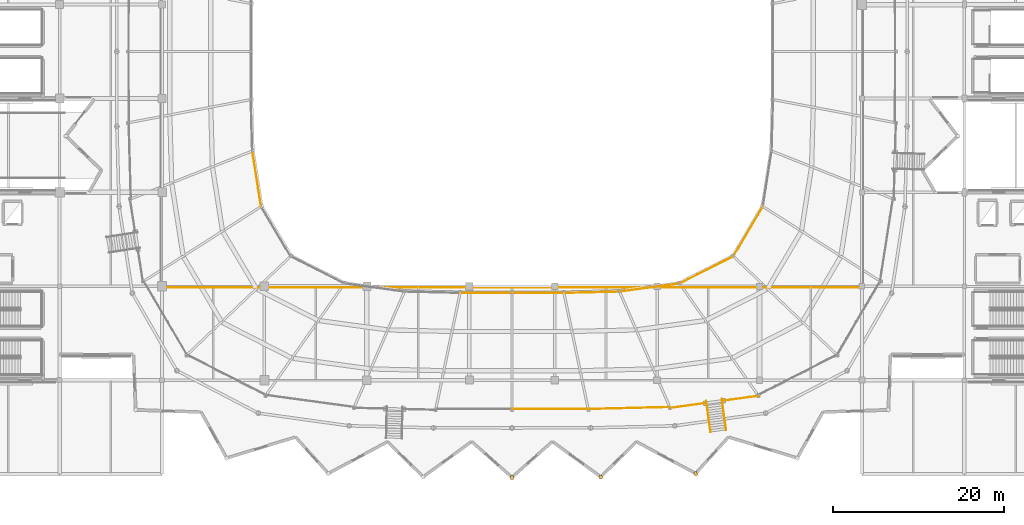
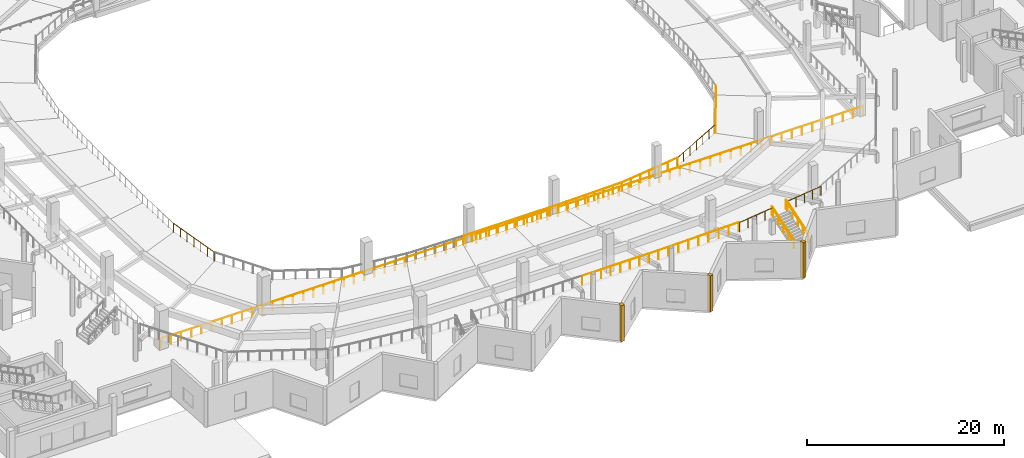
# One storey, part 68 of 77: 16 railings, 3 coverings.
"""IFC4 building model written with IfcOpenShell, lengths in metres."""

import ifcopenshell
import ifcopenshell.guid

model = None  # the IFC model being written
_history = None  # IfcOwnerHistory: only IFC2X3 demands one
_inside = {}  # id of a spatial element -> (the spatial element, [elements in it])
_under = {}  # id of a project, library or spatial element -> (it, [spatial elements below it])
_declared = {}  # id of a project -> (the project, [libraries it declares])
_typed = {}  # id of a type object -> (the type object, [elements of that type])
_made_of = {}  # id of a material, layer set ... -> (it, [elements and type objects made of it])


def new_model(schema):
    """Start an empty IFC model of exactly this schema.

    Asked for "IFC4X3", IfcOpenShell would pick the latest addendum, in which some entities
    have other attributes; the version numbers below select the first issue.
    IFC2X3 requires an IfcOwnerHistory on every rooted entity: one is made here for all.
    """
    global model, _history
    if schema == "IFC4X3":
        model = ifcopenshell.file(schema_version=(4, 3, 0, 0))
    else:
        model = ifcopenshell.file(schema=schema)
    _inside.clear()
    _under.clear()
    _declared.clear()
    _typed.clear()
    _made_of.clear()
    _history = None
    if model.schema == "IFC2X3":
        org = make("IfcOrganization", Name="unknown")
        user = make(
            "IfcPersonAndOrganization",
            ThePerson=make("IfcPerson", FamilyName="unknown"),
            TheOrganization=org,
        )
        app = make(
            "IfcApplication",
            ApplicationDeveloper=org,
            Version="unknown",
            ApplicationFullName="unknown",
            ApplicationIdentifier="unknown",
        )
        _history = make(
            "IfcOwnerHistory",
            OwningUser=user,
            OwningApplication=app,
            ChangeAction="ADDED",
            CreationDate=0,
        )
    return model


def make(cls, **values):
    """One entity of the class cls with the attributes given. An attribute that is None is left unset."""
    return model.create_entity(
        cls, **{name: value for name, value in values.items() if value is not None}
    )


def rooted(cls, **values):
    """An entity with a GlobalId (a new one), such as an element, a storey or a relation."""
    return make(cls, GlobalId=ifcopenshell.guid.new(), OwnerHistory=_history, **values)


def si_unit(unit_type, name, prefix=None):
    """IfcSIUnit, for example si_unit("LENGTHUNIT", "METRE", prefix="MILLI")."""
    return make("IfcSIUnit", UnitType=unit_type, Prefix=prefix, Name=name)


def assignment(units):
    """IfcUnitAssignment: the units of a project."""
    return None if units is None else make("IfcUnitAssignment", Units=units)


def point(xyz):
    """IfcCartesianPoint."""
    return None if xyz is None else make("IfcCartesianPoint", Coordinates=xyz)


def direction(xyz):
    """IfcDirection."""
    return None if xyz is None else make("IfcDirection", DirectionRatios=xyz)


def frame(location, z_axis=None, x_axis=None):
    """IfcAxis2Placement3D, a coordinate frame: its origin and axes. An axis left out is left unset."""
    return make(
        "IfcAxis2Placement3D",
        Location=point(location),
        Axis=direction(z_axis),
        RefDirection=direction(x_axis),
    )


def frame_2d(location, x_axis=None):
    """IfcAxis2Placement2D, a coordinate frame in the plane: its origin and x axis."""
    return make(
        "IfcAxis2Placement2D", Location=point(location), RefDirection=direction(x_axis)
    )


def origin():
    """The frame at (0, 0, 0) with its axes left unset."""
    return frame((0.0, 0.0, 0.0))


def origin_2d():
    """The frame at (0, 0) in the plane with its x axis left unset."""
    return frame_2d((0.0, 0.0))


def place(relative_to, where):
    """IfcLocalPlacement: puts the frame where relative to a parent placement (None: the world)."""
    return make(
        "IfcLocalPlacement", PlacementRelTo=relative_to, RelativePlacement=where
    )


def context(
    kind, dimensions, precision=None, world=None, true_north=None, identifier=None
):
    """IfcGeometricRepresentationContext, for example the 3D "Model" context."""
    return make(
        "IfcGeometricRepresentationContext",
        ContextIdentifier=identifier,
        ContextType=kind,
        CoordinateSpaceDimension=dimensions,
        Precision=precision,
        WorldCoordinateSystem=world,
        TrueNorth=true_north,
    )


def subcontext(parent, identifier, kind, view, scale=None):
    """IfcGeometricRepresentationSubContext, for example "Body" below "Model"."""
    return make(
        "IfcGeometricRepresentationSubContext",
        ContextIdentifier=identifier,
        ContextType=kind,
        ParentContext=parent,
        TargetScale=scale,
        TargetView=view,
    )


def project(units=None, contexts=None):
    """IfcProject with its units and contexts."""
    return rooted(
        "IfcProject",
        Name="project",
        RepresentationContexts=contexts,
        UnitsInContext=assignment(units),
    )


def spatial(cls, under=None, at=None, **own):
    """A site, building, storey or space (cls), placed at a placement, below another one or the project."""
    s = rooted(cls, ObjectPlacement=at, **own)
    if under is not None:
        _under.setdefault(under.id(), (under, []))[1].append(s)
    return s


def profile(cls, at=None, kind="AREA", **sizes):
    """A parametric profile (cls). Its sizes go by their IFC names, for example OverallWidth=200.0."""
    return make(cls, ProfileType=kind, Position=at, **sizes)


def rectangle(**sizes):
    """IfcRectangleProfileDef."""
    return profile("IfcRectangleProfileDef", **sizes)


def circle(**sizes):
    """IfcCircleProfileDef."""
    return profile("IfcCircleProfileDef", **sizes)


def extrude(swept, where, along, depth):
    """IfcExtrudedAreaSolid: the profile swept, set in the frame where, extruded along a direction by depth."""
    return make(
        "IfcExtrudedAreaSolid",
        SweptArea=swept,
        Position=where,
        ExtrudedDirection=direction(along),
        Depth=depth,
    )


def shape(context_of_items, identifier, shape_type, items):
    """IfcShapeRepresentation: the items that make up one representation, for example the "Body"."""
    return make(
        "IfcShapeRepresentation",
        ContextOfItems=context_of_items,
        RepresentationIdentifier=identifier,
        RepresentationType=shape_type,
        Items=items,
    )


def material(Name=None, Category=None):
    """IfcMaterial."""
    return make("IfcMaterial", Name=Name, Category=Category)


def layer(
    of_material, thickness, ventilated=None, Name=None, Category=None, Priority=None
):
    """IfcMaterialLayer: one layer of a wall or slab, of a material (None: an air gap)."""
    return make(
        "IfcMaterialLayer",
        Material=of_material,
        LayerThickness=thickness,
        IsVentilated=ventilated,
        Name=Name,
        Category=Category,
        Priority=Priority,
    )


def layer_set(layers, Name=None):
    """IfcMaterialLayerSet."""
    return make("IfcMaterialLayerSet", MaterialLayers=layers, LayerSetName=Name)


def made_of(thing, what):
    """Note that an element or type object is made of a material, layer set ...; save() writes the relation."""
    if what is not None:
        _made_of.setdefault(what.id(), (what, []))[1].append(thing)
    return thing


def type_object(cls, material=None, **own):
    """A type object (cls), such as IfcWallType, which elements share."""
    return made_of(rooted(cls, **own), material)


def element(
    cls,
    number,
    at=None,
    inside=None,
    cuts=None,
    type_object=None,
    material=None,
    context=None,
    identifier="Body",
    shape_type=None,
    held_by="IfcProductDefinitionShape",
    body=None,
    shapes=None,
    **own,
):
    """One element of the class cls, such as IfcWall. Its Tag is "e" and its number.

    at: its placement. inside: the storey or other place that contains it. cuts: it is an
    opening in that element (IfcRelVoidsElement). A single representation is given by context,
    identifier, shape_type and body (its items); several are given by shapes. held_by: the class
    of the entity that holds the representations. save() writes the other relations.
    """
    e = rooted(cls, Tag="e%d" % number, ObjectPlacement=at, **own)
    if body is not None:
        shapes = [shape(context, identifier, shape_type, body)]
    if shapes is not None:
        e.Representation = make(held_by, Representations=shapes)
    if inside is not None:
        _inside.setdefault(inside.id(), (inside, []))[1].append(e)
    if cuts is not None:
        rooted(
            "IfcRelVoidsElement", RelatingBuildingElement=cuts, RelatedOpeningElement=e
        )
    if type_object is not None:
        _typed.setdefault(type_object.id(), (type_object, []))[1].append(e)
    return made_of(e, material)


def aggregate(whole, parts):
    """IfcRelAggregates: a whole, such as a stair, and the parts it consists of."""
    return rooted("IfcRelAggregates", RelatingObject=whole, RelatedObjects=parts)


def save(model, path):
    """Write the relations noted so far, then the file.

    IfcRelAggregates (storeys below a building ...), IfcRelContainedInSpatialStructure (elements
    in a storey), IfcRelDefinesByType, IfcRelAssociatesMaterial and IfcRelDeclares: one each for
    every whole, place, type object, material and project.
    """
    for whole, parts in _under.values():
        aggregate(whole, parts)
    for where, things in _inside.values():
        rooted(
            "IfcRelContainedInSpatialStructure",
            RelatedElements=things,
            RelatingStructure=where,
        )
    for kind, things in _typed.values():
        rooted("IfcRelDefinesByType", RelatedObjects=things, RelatingType=kind)
    for what, things in _made_of.values():
        rooted("IfcRelAssociatesMaterial", RelatedObjects=things, RelatingMaterial=what)
    for by, libraries in _declared.values():
        rooted("IfcRelDeclares", RelatingContext=by, RelatedDefinitions=libraries)
    model.write(path)


model = new_model("IFC4")

# Units and contexts
model_context = context("Model", 3, precision=1e-05, world=origin(), true_north=direction((0.0, 1.0)))
body_context = subcontext(model_context, "Body", "Model", "MODEL_VIEW")
ifc_project = project(units=[si_unit("LENGTHUNIT", "METRE"), si_unit("AREAUNIT", "SQUARE_METRE"), si_unit("VOLUMEUNIT", "CUBIC_METRE"), si_unit("PLANEANGLEUNIT", "RADIAN"), si_unit("MASSUNIT", "GRAM", prefix="KILO")], contexts=[model_context])

# Site, building, storey
site_placement = place(None, origin())
site = spatial("IfcSite", under=ifc_project, at=site_placement, CompositionType="ELEMENT")
building_placement = place(site_placement, origin())
building = spatial("IfcBuilding", under=site, at=building_placement, Name="Luwafu Chhajja Arena", CompositionType="ELEMENT")
storey_placement = place(building_placement, frame((0.0, 0.0, 14.699951171875)))
storey = spatial("IfcBuildingStorey", under=building, at=storey_placement, Name="L03", CompositionType="ELEMENT", Elevation=14.699951171875)

# Railings
ifc_material_1 = material(Name="Stainless steel balustrade", Category="steel")
railing_type_1 = type_object("IfcRailingType", Name="Atrium Void Glazed Balustrade 1150", PredefinedType="BALUSTRADE", material=ifc_material_1)
railing_1_placement = place(storey_placement, frame((124.082763671875, 5.1748046875, 0.0)))
element("IfcRailing", 1, at=railing_1_placement, inside=storey, type_object=railing_type_1, Name="L03 Vomitory VM-15 Guard L", PredefinedType="BALUSTRADE", context=body_context, shape_type="SweptSolid", body=[
    extrude(circle(Radius=0.02392578125, at=origin_2d()), frame((0.0, 0.0, 1.1259765625), z_axis=(-0.116323302151, 0.852670018924, 0.509335575241), x_axis=(-0.990822369828, -0.135170379332, 0.0)), (0.0, 0.0, 1.0), 3.985595703125),
    extrude(circle(Radius=0.02392578125, at=origin_2d()), frame((-0.463623046875, 3.3984375, 3.15576171875), z_axis=(-0.134851560167, 0.990865811662, 0.0), x_axis=(-0.990865811662, -0.134851560167, 0.0)), (0.0, 0.0, 1.0), 0.249755859375),
    extrude(circle(Radius=0.02099609375, at=origin_2d()), origin(), (0.0, 0.0, 1.0), 1.101806640625),
    extrude(circle(Radius=0.02099609375, at=origin_2d()), frame((-0.115966796875, 0.849609375, 0.507568359375)), (0.0, 0.0, 1.0), 1.101806640625),
    extrude(circle(Radius=0.02099609375, at=origin_2d()), frame((-0.23193359375, 1.69921875, 1.01513671875)), (0.0, 0.0, 1.0), 1.101806640625),
    extrude(circle(Radius=0.02099609375, at=origin_2d()), frame((-0.34765625, 2.548828125, 1.5224609375)), (0.0, 0.0, 1.0), 1.101806640625),
    extrude(circle(Radius=0.02099609375, at=origin_2d()), frame((-0.463623046875, 3.3984375, 2.030029296875)), (0.0, 0.0, 1.0), 1.101806640625),
    extrude(circle(Radius=0.02099609375, at=origin_2d()), frame((-0.497314453125, 3.64599609375, 2.030029296875)), (0.0, 0.0, 1.0), 1.101806640625),
])
railing_2_placement = place(storey_placement, frame((122.259521484375, 4.926025390625, 0.0)))
element("IfcRailing", 2, at=railing_2_placement, inside=storey, type_object=railing_type_1, Name="L03 Vomitory VM-15 Guard R", PredefinedType="BALUSTRADE", context=body_context, shape_type="SweptSolid", body=[
    extrude(circle(Radius=0.02392578125, at=origin_2d()), frame((0.0, 0.0, 1.1259765625), z_axis=(-0.116317226804, 0.852686737409, 0.509308973605), x_axis=(-0.990823670218, -0.135160846904, 0.0)), (0.0, 0.0, 1.0), 3.98583984375),
    extrude(circle(Radius=0.02392578125, at=origin_2d()), frame((-0.463623046875, 3.398681640625, 3.15576171875), z_axis=(-0.134851560167, 0.990865811662, 0.0), x_axis=(-0.990865811662, -0.134851560167, 0.0)), (0.0, 0.0, 1.0), 0.249755859375),
    extrude(circle(Radius=0.02099609375, at=origin_2d()), origin(), (0.0, 0.0, 1.0), 1.101806640625),
    extrude(circle(Radius=0.02099609375, at=origin_2d()), frame((-0.115966796875, 0.849609375, 0.507568359375)), (0.0, 0.0, 1.0), 1.101806640625),
    extrude(circle(Radius=0.02099609375, at=origin_2d()), frame((-0.23193359375, 1.69921875, 1.01513671875)), (0.0, 0.0, 1.0), 1.101806640625),
    extrude(circle(Radius=0.02099609375, at=origin_2d()), frame((-0.34765625, 2.549072265625, 1.5224609375)), (0.0, 0.0, 1.0), 1.101806640625),
    extrude(circle(Radius=0.02099609375, at=origin_2d()), frame((-0.463623046875, 3.398681640625, 2.030029296875)), (0.0, 0.0, 1.0), 1.101806640625),
    extrude(circle(Radius=0.02099609375, at=origin_2d()), frame((-0.497314453125, 3.646240234375, 2.030029296875)), (0.0, 0.0, 1.0), 1.101806640625),
])
railing_3_placement = place(storey_placement, frame((127.883544921875, 9.154541015625, 2.030029296875)))
element("IfcRailing", 3, at=railing_3_placement, inside=storey, type_object=railing_type_1, Name="L03 Vomitory VM-15 Wing Guard L", PredefinedType="BALUSTRADE", context=body_context, shape_type="SweptSolid", body=[
    extrude(circle(Radius=0.02392578125, at=origin_2d()), frame((0.0, 0.0, 1.1259765625), z_axis=(-0.990836725486, -0.135065108111, 0.0), x_axis=(0.135065108111, -0.990836725486, 0.0)), (0.0, 0.0, 1.0), 4.303955078125),
    extrude(circle(Radius=0.02099609375, at=origin_2d()), origin(), (0.0, 0.0, 1.0), 1.101806640625),
    extrude(circle(Radius=0.02099609375, at=origin_2d()), frame((-1.066162109375, -0.145263671875, 0.0)), (0.0, 0.0, 1.0), 1.101806640625),
    extrude(circle(Radius=0.02099609375, at=origin_2d()), frame((-2.13232421875, -0.29052734375, 0.0)), (0.0, 0.0, 1.0), 1.101806640625),
    extrude(circle(Radius=0.02099609375, at=origin_2d()), frame((-3.1982421875, -0.43603515625, 0.0)), (0.0, 0.0, 1.0), 1.101806640625),
    extrude(circle(Radius=0.02099609375, at=origin_2d()), frame((-4.264404296875, -0.581298828125, 0.0)), (0.0, 0.0, 1.0), 1.101806640625),
])
railing_4_placement = place(storey_placement, frame((121.7958984375, 8.32470703125, 2.030029296875)))
element("IfcRailing", 4, at=railing_4_placement, inside=storey, type_object=railing_type_1, Name="L03 Vomitory VM-15 Wing Guard R", PredefinedType="BALUSTRADE", context=body_context, shape_type="SweptSolid", body=[
    extrude(circle(Radius=0.02392578125, at=origin_2d()), frame((0.0, 0.0, 1.1259765625), z_axis=(-0.990828096688, -0.135128393811, 0.0), x_axis=(0.135128393811, -0.990828096688, 0.0)), (0.0, 0.0, 1.0), 4.3037109375),
    extrude(circle(Radius=0.02099609375, at=origin_2d()), origin(), (0.0, 0.0, 1.0), 1.101806640625),
    extrude(circle(Radius=0.02099609375, at=origin_2d()), frame((-1.06591796875, -0.1455078125, 0.0)), (0.0, 0.0, 1.0), 1.101806640625),
    extrude(circle(Radius=0.02099609375, at=origin_2d()), frame((-2.132080078125, -0.290771484375, 0.0)), (0.0, 0.0, 1.0), 1.101806640625),
    extrude(circle(Radius=0.02099609375, at=origin_2d()), frame((-3.1982421875, -0.43603515625, 0.0)), (0.0, 0.0, 1.0), 1.101806640625),
    extrude(circle(Radius=0.02099609375, at=origin_2d()), frame((-4.26416015625, -0.58154296875, 0.0)), (0.0, 0.0, 1.0), 1.101806640625),
])

# Coverings
ifc_material_2 = material(Name="Red laterite sandstone cladding", Category="masonry")
ifc_layer = layer(ifc_material_2, 0.074951171875, Name="Red laterite sandstone cladding")
ifc_layer_set = layer_set([ifc_layer], Name="Red laterite sandstone cladding")
covering_type = type_object("IfcCoveringType", Name="Dressed Red-Laterite Sandstone Cladding", PredefinedType="CLADDING", material=ifc_layer_set)
for number, where, z_axis, x_axis, name in (
    (5, (99.0, -0.39990234375, 0.0), (0.0, 0.0, 1.0), (0.0, -1.0, 0.0), "L03 Pleated Bowl Sandstone Ridge Fin 25"),
    (6, (109.412109375, -0.3427734375, 0.0), (0.0, 0.0, 1.0), (0.20448508974, -0.9788696788, 0.0), "L03 Pleated Bowl Sandstone Ridge Fin 26"),
    (7, (120.510986328125, 0.051025390625, 0.0), (0.0, 0.0, 1.0), (0.398902881432, -0.916993179465, 0.0), "L03 Pleated Bowl Sandstone Ridge Fin 27"),
):
    element("IfcCovering", number, at=place(storey_placement, frame(where, z_axis=z_axis, x_axis=x_axis)), inside=storey, type_object=covering_type, Name=name, PredefinedType="CLADDING", context=body_context, shape_type="SweptSolid", body=[
        extrude(rectangle(XDim=0.4599609375, YDim=0.360107421875, at=origin_2d()), origin(), (0.0, 0.0, 1.0), 4.455078125),
    ])

# Railings
railing_type_2 = type_object("IfcRailingType", Name="Seating Bowl Sightline Barrier 1100", PredefinedType="BALUSTRADE", material=ifc_material_1)
railing_5_placement = place(storey_placement, frame((57.85009765625, 21.85009765625, 0.0)))
element("IfcRailing", 8, at=railing_5_placement, inside=storey, type_object=railing_type_2, Name="L03 Bowl Rim Guard 0036", PredefinedType="BALUSTRADE", context=body_context, shape_type="SweptSolid", body=[
    extrude(circle(Radius=0.02392578125, at=origin_2d()), frame((0.0, 0.0, 1.09619140625), z_axis=(1.0, 0.0, 0.0), x_axis=(0.0, 1.0, 0.0)), (0.0, 0.0, 1.0), 82.2998046875),
    extrude(circle(Radius=0.02099609375, at=origin_2d()), origin(), (0.0, 0.0, 1.0), 1.072021484375),
    extrude(circle(Radius=0.02099609375, at=origin_2d()), frame((1.19287109375, 0.0, 0.0)), (0.0, 0.0, 1.0), 1.072021484375),
    extrude(circle(Radius=0.02099609375, at=origin_2d()), frame((2.385498046875, 0.0, 0.0)), (0.0, 0.0, 1.0), 1.072021484375),
    extrude(circle(Radius=0.02099609375, at=origin_2d()), frame((3.578369140625, 0.0, 0.0)), (0.0, 0.0, 1.0), 1.072021484375),
    extrude(circle(Radius=0.02099609375, at=origin_2d()), frame((4.77099609375, 0.0, 0.0)), (0.0, 0.0, 1.0), 1.072021484375),
    extrude(circle(Radius=0.02099609375, at=origin_2d()), frame((5.9638671875, 0.0, 0.0)), (0.0, 0.0, 1.0), 1.072021484375),
    extrude(circle(Radius=0.02099609375, at=origin_2d()), frame((7.156494140625, 0.0, 0.0)), (0.0, 0.0, 1.0), 1.072021484375),
    extrude(circle(Radius=0.02099609375, at=origin_2d()), frame((8.349365234375, 0.0, 0.0)), (0.0, 0.0, 1.0), 1.072021484375),
    extrude(circle(Radius=0.02099609375, at=origin_2d()), frame((9.5419921875, 0.0, 0.0)), (0.0, 0.0, 1.0), 1.072021484375),
    extrude(circle(Radius=0.02099609375, at=origin_2d()), frame((10.73486328125, 0.0, 0.0)), (0.0, 0.0, 1.0), 1.072021484375),
    extrude(circle(Radius=0.02099609375, at=origin_2d()), frame((11.927490234375, 0.0, 0.0)), (0.0, 0.0, 1.0), 1.072021484375),
    extrude(circle(Radius=0.02099609375, at=origin_2d()), frame((13.120361328125, 0.0, 0.0)), (0.0, 0.0, 1.0), 1.072021484375),
    extrude(circle(Radius=0.02099609375, at=origin_2d()), frame((14.31298828125, 0.0, 0.0)), (0.0, 0.0, 1.0), 1.072021484375),
    extrude(circle(Radius=0.02099609375, at=origin_2d()), frame((15.505859375, 0.0, 0.0)), (0.0, 0.0, 1.0), 1.072021484375),
    extrude(circle(Radius=0.02099609375, at=origin_2d()), frame((16.698486328125, 0.0, 0.0)), (0.0, 0.0, 1.0), 1.072021484375),
    extrude(circle(Radius=0.02099609375, at=origin_2d()), frame((17.891357421875, 0.0, 0.0)), (0.0, 0.0, 1.0), 1.072021484375),
    extrude(circle(Radius=0.02099609375, at=origin_2d()), frame((19.083984375, 0.0, 0.0)), (0.0, 0.0, 1.0), 1.072021484375),
    extrude(circle(Radius=0.02099609375, at=origin_2d()), frame((20.27685546875, 0.0, 0.0)), (0.0, 0.0, 1.0), 1.072021484375),
    extrude(circle(Radius=0.02099609375, at=origin_2d()), frame((21.469482421875, 0.0, 0.0)), (0.0, 0.0, 1.0), 1.072021484375),
    extrude(circle(Radius=0.02099609375, at=origin_2d()), frame((22.662353515625, 0.0, 0.0)), (0.0, 0.0, 1.0), 1.072021484375),
    extrude(circle(Radius=0.02099609375, at=origin_2d()), frame((23.85498046875, 0.0, 0.0)), (0.0, 0.0, 1.0), 1.072021484375),
    extrude(circle(Radius=0.02099609375, at=origin_2d()), frame((25.0478515625, 0.0, 0.0)), (0.0, 0.0, 1.0), 1.072021484375),
    extrude(circle(Radius=0.02099609375, at=origin_2d()), frame((26.240478515625, 0.0, 0.0)), (0.0, 0.0, 1.0), 1.072021484375),
    extrude(circle(Radius=0.02099609375, at=origin_2d()), frame((27.433349609375, 0.0, 0.0)), (0.0, 0.0, 1.0), 1.072021484375),
    extrude(circle(Radius=0.02099609375, at=origin_2d()), frame((28.6259765625, 0.0, 0.0)), (0.0, 0.0, 1.0), 1.072021484375),
    extrude(circle(Radius=0.02099609375, at=origin_2d()), frame((29.81884765625, 0.0, 0.0)), (0.0, 0.0, 1.0), 1.072021484375),
    extrude(circle(Radius=0.02099609375, at=origin_2d()), frame((31.011474609375, 0.0, 0.0)), (0.0, 0.0, 1.0), 1.072021484375),
    extrude(circle(Radius=0.02099609375, at=origin_2d()), frame((32.204345703125, 0.0, 0.0)), (0.0, 0.0, 1.0), 1.072021484375),
    extrude(circle(Radius=0.02099609375, at=origin_2d()), frame((33.39697265625, 0.0, 0.0)), (0.0, 0.0, 1.0), 1.072021484375),
    extrude(circle(Radius=0.02099609375, at=origin_2d()), frame((34.58984375, 0.0, 0.0)), (0.0, 0.0, 1.0), 1.072021484375),
    extrude(circle(Radius=0.02099609375, at=origin_2d()), frame((35.782470703125, 0.0, 0.0)), (0.0, 0.0, 1.0), 1.072021484375),
    extrude(circle(Radius=0.02099609375, at=origin_2d()), frame((36.975341796875, 0.0, 0.0)), (0.0, 0.0, 1.0), 1.072021484375),
    extrude(circle(Radius=0.02099609375, at=origin_2d()), frame((38.16796875, 0.0, 0.0)), (0.0, 0.0, 1.0), 1.072021484375),
    extrude(circle(Radius=0.02099609375, at=origin_2d()), frame((39.36083984375, 0.0, 0.0)), (0.0, 0.0, 1.0), 1.072021484375),
    extrude(circle(Radius=0.02099609375, at=origin_2d()), frame((40.553466796875, 0.0, 0.0)), (0.0, 0.0, 1.0), 1.072021484375),
    extrude(circle(Radius=0.02099609375, at=origin_2d()), frame((41.746337890625, 0.0, 0.0)), (0.0, 0.0, 1.0), 1.072021484375),
    extrude(circle(Radius=0.02099609375, at=origin_2d()), frame((42.93896484375, 0.0, 0.0)), (0.0, 0.0, 1.0), 1.072021484375),
    extrude(circle(Radius=0.02099609375, at=origin_2d()), frame((44.1318359375, 0.0, 0.0)), (0.0, 0.0, 1.0), 1.072021484375),
    extrude(circle(Radius=0.02099609375, at=origin_2d()), frame((45.324462890625, 0.0, 0.0)), (0.0, 0.0, 1.0), 1.072021484375),
    extrude(circle(Radius=0.02099609375, at=origin_2d()), frame((46.517333984375, 0.0, 0.0)), (0.0, 0.0, 1.0), 1.072021484375),
    extrude(circle(Radius=0.02099609375, at=origin_2d()), frame((47.7099609375, 0.0, 0.0)), (0.0, 0.0, 1.0), 1.072021484375),
    extrude(circle(Radius=0.02099609375, at=origin_2d()), frame((48.90283203125, 0.0, 0.0)), (0.0, 0.0, 1.0), 1.072021484375),
    extrude(circle(Radius=0.02099609375, at=origin_2d()), frame((50.095458984375, 0.0, 0.0)), (0.0, 0.0, 1.0), 1.072021484375),
    extrude(circle(Radius=0.02099609375, at=origin_2d()), frame((51.288330078125, 0.0, 0.0)), (0.0, 0.0, 1.0), 1.072021484375),
    extrude(circle(Radius=0.02099609375, at=origin_2d()), frame((52.48095703125, 0.0, 0.0)), (0.0, 0.0, 1.0), 1.072021484375),
    extrude(circle(Radius=0.02099609375, at=origin_2d()), frame((53.673828125, 0.0, 0.0)), (0.0, 0.0, 1.0), 1.072021484375),
    extrude(circle(Radius=0.02099609375, at=origin_2d()), frame((54.866455078125, 0.0, 0.0)), (0.0, 0.0, 1.0), 1.072021484375),
    extrude(circle(Radius=0.02099609375, at=origin_2d()), frame((56.059326171875, 0.0, 0.0)), (0.0, 0.0, 1.0), 1.072021484375),
    extrude(circle(Radius=0.02099609375, at=origin_2d()), frame((57.251953125, 0.0, 0.0)), (0.0, 0.0, 1.0), 1.072021484375),
    extrude(circle(Radius=0.02099609375, at=origin_2d()), frame((58.44482421875, 0.0, 0.0)), (0.0, 0.0, 1.0), 1.072021484375),
    extrude(circle(Radius=0.02099609375, at=origin_2d()), frame((59.637451171875, 0.0, 0.0)), (0.0, 0.0, 1.0), 1.072021484375),
    extrude(circle(Radius=0.02099609375, at=origin_2d()), frame((60.830322265625, 0.0, 0.0)), (0.0, 0.0, 1.0), 1.072021484375),
    extrude(circle(Radius=0.02099609375, at=origin_2d()), frame((62.02294921875, 0.0, 0.0)), (0.0, 0.0, 1.0), 1.072021484375),
    extrude(circle(Radius=0.02099609375, at=origin_2d()), frame((63.2158203125, 0.0, 0.0)), (0.0, 0.0, 1.0), 1.072021484375),
    extrude(circle(Radius=0.02099609375, at=origin_2d()), frame((64.408447265625, 0.0, 0.0)), (0.0, 0.0, 1.0), 1.072021484375),
    extrude(circle(Radius=0.02099609375, at=origin_2d()), frame((65.601318359375, 0.0, 0.0)), (0.0, 0.0, 1.0), 1.072021484375),
    extrude(circle(Radius=0.02099609375, at=origin_2d()), frame((66.7939453125, 0.0, 0.0)), (0.0, 0.0, 1.0), 1.072021484375),
    extrude(circle(Radius=0.02099609375, at=origin_2d()), frame((67.98681640625, 0.0, 0.0)), (0.0, 0.0, 1.0), 1.072021484375),
    extrude(circle(Radius=0.02099609375, at=origin_2d()), frame((69.179443359375, 0.0, 0.0)), (0.0, 0.0, 1.0), 1.072021484375),
    extrude(circle(Radius=0.02099609375, at=origin_2d()), frame((70.372314453125, 0.0, 0.0)), (0.0, 0.0, 1.0), 1.072021484375),
    extrude(circle(Radius=0.02099609375, at=origin_2d()), frame((71.56494140625, 0.0, 0.0)), (0.0, 0.0, 1.0), 1.072021484375),
    extrude(circle(Radius=0.02099609375, at=origin_2d()), frame((72.7578125, 0.0, 0.0)), (0.0, 0.0, 1.0), 1.072021484375),
    extrude(circle(Radius=0.02099609375, at=origin_2d()), frame((73.950439453125, 0.0, 0.0)), (0.0, 0.0, 1.0), 1.072021484375),
    extrude(circle(Radius=0.02099609375, at=origin_2d()), frame((75.143310546875, 0.0, 0.0)), (0.0, 0.0, 1.0), 1.072021484375),
    extrude(circle(Radius=0.02099609375, at=origin_2d()), frame((76.3359375, 0.0, 0.0)), (0.0, 0.0, 1.0), 1.072021484375),
    extrude(circle(Radius=0.02099609375, at=origin_2d()), frame((77.52880859375, 0.0, 0.0)), (0.0, 0.0, 1.0), 1.072021484375),
    extrude(circle(Radius=0.02099609375, at=origin_2d()), frame((78.721435546875, 0.0, 0.0)), (0.0, 0.0, 1.0), 1.072021484375),
    extrude(circle(Radius=0.02099609375, at=origin_2d()), frame((79.914306640625, 0.0, 0.0)), (0.0, 0.0, 1.0), 1.072021484375),
    extrude(circle(Radius=0.02099609375, at=origin_2d()), frame((81.10693359375, 0.0, 0.0)), (0.0, 0.0, 1.0), 1.072021484375),
    extrude(circle(Radius=0.02099609375, at=origin_2d()), frame((82.2998046875, 0.0, 0.0)), (0.0, 0.0, 1.0), 1.072021484375),
])
railing_6_placement = place(storey_placement, frame((68.5771484375, 37.845703125, 0.830078125)))
element("IfcRailing", 9, at=railing_6_placement, inside=storey, type_object=railing_type_2, Name="L03 Upper Tier Front Barrier 0113", PredefinedType="BALUSTRADE", context=body_context, shape_type="SweptSolid", body=[
    extrude(circle(Radius=0.02392578125, at=origin_2d()), frame((0.0, 0.0, 1.09619140625), z_axis=(0.156019637452, -0.987753953538, 0.0), x_axis=(0.987753953538, 0.156019637452, 0.0)), (0.0, 0.0, 1.0), 6.591064453125),
    extrude(circle(Radius=0.02099609375, at=origin_2d()), origin(), (0.0, 0.0, 1.0), 1.072021484375),
    extrude(circle(Radius=0.02099609375, at=origin_2d()), frame((0.17138671875, -1.0849609375, 0.0)), (0.0, 0.0, 1.0), 1.072021484375),
    extrude(circle(Radius=0.02099609375, at=origin_2d()), frame((0.3427734375, -2.170166015625, 0.0)), (0.0, 0.0, 1.0), 1.072021484375),
    extrude(circle(Radius=0.02099609375, at=origin_2d()), frame((0.51416015625, -3.255126953125, 0.0)), (0.0, 0.0, 1.0), 1.072021484375),
    extrude(circle(Radius=0.02099609375, at=origin_2d()), frame((0.685546875, -4.340087890625, 0.0)), (0.0, 0.0, 1.0), 1.072021484375),
    extrude(circle(Radius=0.02099609375, at=origin_2d()), frame((0.85693359375, -5.42529296875, 0.0)), (0.0, 0.0, 1.0), 1.072021484375),
    extrude(circle(Radius=0.02099609375, at=origin_2d()), frame((1.0283203125, -6.51025390625, 0.0)), (0.0, 0.0, 1.0), 1.072021484375),
])
railing_7_placement = place(storey_placement, frame((92.914794921875, 21.20751953125, 0.830078125)))
element("IfcRailing", 10, at=railing_7_placement, inside=storey, type_object=railing_type_2, Name="L03 Upper Tier Front Barrier 0129", PredefinedType="BALUSTRADE", context=body_context, shape_type="SweptSolid", body=[
    extrude(circle(Radius=0.02392578125, at=origin_2d()), frame((0.0, 0.0, 1.09619140625), z_axis=(0.999999226567, -0.001243730232, 0.0), x_axis=(0.001243730232, 0.999999226567, 0.0)), (0.0, 0.0, 1.0), 6.085205078125),
    extrude(circle(Radius=0.02099609375, at=origin_2d()), origin(), (0.0, 0.0, 1.0), 1.072021484375),
    extrude(circle(Radius=0.02099609375, at=origin_2d()), frame((1.01416015625, -0.001220703125, 0.0)), (0.0, 0.0, 1.0), 1.072021484375),
    extrude(circle(Radius=0.02099609375, at=origin_2d()), frame((2.0283203125, -0.00244140625, 0.0)), (0.0, 0.0, 1.0), 1.072021484375),
    extrude(circle(Radius=0.02099609375, at=origin_2d()), frame((3.04248046875, -0.00390625, 0.0)), (0.0, 0.0, 1.0), 1.072021484375),
    extrude(circle(Radius=0.02099609375, at=origin_2d()), frame((4.056884765625, -0.005126953125, 0.0)), (0.0, 0.0, 1.0), 1.072021484375),
    extrude(circle(Radius=0.02099609375, at=origin_2d()), frame((5.071044921875, -0.00634765625, 0.0)), (0.0, 0.0, 1.0), 1.072021484375),
    extrude(circle(Radius=0.02099609375, at=origin_2d()), frame((6.085205078125, -0.007568359375, 0.0)), (0.0, 0.0, 1.0), 1.072021484375),
])
railing_8_placement = place(storey_placement, frame((99.0, 21.199951171875, 0.830078125)))
element("IfcRailing", 11, at=railing_8_placement, inside=storey, type_object=railing_type_2, Name="L03 Upper Tier Front Barrier 0133", PredefinedType="BALUSTRADE", context=body_context, shape_type="SweptSolid", body=[
    extrude(circle(Radius=0.02392578125, at=origin_2d()), frame((0.0, 0.0, 1.09619140625), z_axis=(0.999999226567, 0.001243730232, 0.0), x_axis=(-0.001243730232, 0.999999226567, 0.0)), (0.0, 0.0, 1.0), 6.085205078125),
    extrude(circle(Radius=0.02099609375, at=origin_2d()), origin(), (0.0, 0.0, 1.0), 1.072021484375),
    extrude(circle(Radius=0.02099609375, at=origin_2d()), frame((1.01416015625, 0.001220703125, 0.0)), (0.0, 0.0, 1.0), 1.072021484375),
    extrude(circle(Radius=0.02099609375, at=origin_2d()), frame((2.0283203125, 0.00244140625, 0.0)), (0.0, 0.0, 1.0), 1.072021484375),
    extrude(circle(Radius=0.02099609375, at=origin_2d()), frame((3.04248046875, 0.00390625, 0.0)), (0.0, 0.0, 1.0), 1.072021484375),
    extrude(circle(Radius=0.02099609375, at=origin_2d()), frame((4.056884765625, 0.005126953125, 0.0)), (0.0, 0.0, 1.0), 1.072021484375),
    extrude(circle(Radius=0.02099609375, at=origin_2d()), frame((5.071044921875, 0.00634765625, 0.0)), (0.0, 0.0, 1.0), 1.072021484375),
    extrude(circle(Radius=0.02099609375, at=origin_2d()), frame((6.085205078125, 0.007568359375, 0.0)), (0.0, 0.0, 1.0), 1.072021484375),
])
railing_9_placement = place(storey_placement, frame((99.0, 7.60009765625, 2.030029296875)))
element("IfcRailing", 12, at=railing_9_placement, inside=storey, type_object=railing_type_2, Name="L03 Upper Tier Rear Barrier 0135", PredefinedType="BALUSTRADE", context=body_context, shape_type="SweptSolid", body=[
    extrude(circle(Radius=0.02392578125, at=origin_2d()), frame((0.0, 0.0, 1.09619140625), z_axis=(0.99999920898, 0.001257791852, 0.0), x_axis=(-0.001257791852, 0.99999920898, 0.0)), (0.0, 0.0, 1.0), 8.9287109375),
    extrude(circle(Radius=0.02099609375, at=origin_2d()), origin(), (0.0, 0.0, 1.0), 1.072021484375),
    extrude(circle(Radius=0.02099609375, at=origin_2d()), frame((1.1162109375, 0.00146484375, 0.0)), (0.0, 0.0, 1.0), 1.072021484375),
    extrude(circle(Radius=0.02099609375, at=origin_2d()), frame((2.232177734375, 0.0029296875, 0.0)), (0.0, 0.0, 1.0), 1.072021484375),
    extrude(circle(Radius=0.02099609375, at=origin_2d()), frame((3.34814453125, 0.004150390625, 0.0)), (0.0, 0.0, 1.0), 1.072021484375),
    extrude(circle(Radius=0.02099609375, at=origin_2d()), frame((4.46435546875, 0.005615234375, 0.0)), (0.0, 0.0, 1.0), 1.072021484375),
    extrude(circle(Radius=0.02099609375, at=origin_2d()), frame((5.58056640625, 0.007080078125, 0.0)), (0.0, 0.0, 1.0), 1.072021484375),
    extrude(circle(Radius=0.02099609375, at=origin_2d()), frame((6.696533203125, 0.00830078125, 0.0)), (0.0, 0.0, 1.0), 1.072021484375),
    extrude(circle(Radius=0.02099609375, at=origin_2d()), frame((7.8125, 0.009765625, 0.0)), (0.0, 0.0, 1.0), 1.072021484375),
    extrude(circle(Radius=0.02099609375, at=origin_2d()), frame((8.9287109375, 0.01123046875, 0.0)), (0.0, 0.0, 1.0), 1.072021484375),
])
railing_10_placement = place(storey_placement, frame((105.085205078125, 21.20751953125, 0.830078125)))
element("IfcRailing", 13, at=railing_10_placement, inside=storey, type_object=railing_type_2, Name="L03 Upper Tier Front Barrier 0137", PredefinedType="BALUSTRADE", context=body_context, shape_type="SweptSolid", body=[
    extrude(circle(Radius=0.02392578125, at=origin_2d()), frame((0.0, 0.0, 1.09619140625), z_axis=(0.999712648785, 0.023971229824, 0.0), x_axis=(-0.023971229824, 0.999712648785, 0.0)), (0.0, 0.0, 1.0), 6.518310546875),
    extrude(circle(Radius=0.02099609375, at=origin_2d()), origin(), (0.0, 0.0, 1.0), 1.072021484375),
    extrude(circle(Radius=0.02099609375, at=origin_2d()), frame((1.0859375, 0.026123046875, 0.0)), (0.0, 0.0, 1.0), 1.072021484375),
    extrude(circle(Radius=0.02099609375, at=origin_2d()), frame((2.172119140625, 0.052001953125, 0.0)), (0.0, 0.0, 1.0), 1.072021484375),
    extrude(circle(Radius=0.02099609375, at=origin_2d()), frame((3.25830078125, 0.078125, 0.0)), (0.0, 0.0, 1.0), 1.072021484375),
    extrude(circle(Radius=0.02099609375, at=origin_2d()), frame((4.34423828125, 0.104248046875, 0.0)), (0.0, 0.0, 1.0), 1.072021484375),
    extrude(circle(Radius=0.02099609375, at=origin_2d()), frame((5.43017578125, 0.130126953125, 0.0)), (0.0, 0.0, 1.0), 1.072021484375),
    extrude(circle(Radius=0.02099609375, at=origin_2d()), frame((6.516357421875, 0.15625, 0.0)), (0.0, 0.0, 1.0), 1.072021484375),
])
railing_11_placement = place(storey_placement, frame((107.9287109375, 7.611328125, 2.030029296875)))
element("IfcRailing", 14, at=railing_11_placement, inside=storey, type_object=railing_type_2, Name="L03 Upper Tier Rear Barrier 0139", PredefinedType="BALUSTRADE", context=body_context, shape_type="SweptSolid", body=[
    extrude(circle(Radius=0.02392578125, at=origin_2d()), frame((0.0, 0.0, 1.09619140625), z_axis=(0.999707797912, 0.024172686956, 0.0), x_axis=(-0.024172686956, 0.999707797912, 0.0)), (0.0, 0.0, 1.0), 9.564453125),
    extrude(circle(Radius=0.02099609375, at=origin_2d()), origin(), (0.0, 0.0, 1.0), 1.072021484375),
    extrude(circle(Radius=0.02099609375, at=origin_2d()), frame((1.1953125, 0.02880859375, 0.0)), (0.0, 0.0, 1.0), 1.072021484375),
    extrude(circle(Radius=0.02099609375, at=origin_2d()), frame((2.390380859375, 0.057861328125, 0.0)), (0.0, 0.0, 1.0), 1.072021484375),
    extrude(circle(Radius=0.02099609375, at=origin_2d()), frame((3.585693359375, 0.086669921875, 0.0)), (0.0, 0.0, 1.0), 1.072021484375),
    extrude(circle(Radius=0.02099609375, at=origin_2d()), frame((4.78076171875, 0.11572265625, 0.0)), (0.0, 0.0, 1.0), 1.072021484375),
    extrude(circle(Radius=0.02099609375, at=origin_2d()), frame((5.97607421875, 0.14453125, 0.0)), (0.0, 0.0, 1.0), 1.072021484375),
    extrude(circle(Radius=0.02099609375, at=origin_2d()), frame((7.17138671875, 0.17333984375, 0.0)), (0.0, 0.0, 1.0), 1.072021484375),
    extrude(circle(Radius=0.02099609375, at=origin_2d()), frame((8.366455078125, 0.202392578125, 0.0)), (0.0, 0.0, 1.0), 1.072021484375),
    extrude(circle(Radius=0.02099609375, at=origin_2d()), frame((9.561767578125, 0.231201171875, 0.0)), (0.0, 0.0, 1.0), 1.072021484375),
])
railing_12_placement = place(storey_placement, frame((111.6015625, 21.36376953125, 0.830078125)))
element("IfcRailing", 15, at=railing_12_placement, inside=storey, type_object=railing_type_2, Name="L03 Upper Tier Front Barrier 0141", PredefinedType="BALUSTRADE", context=body_context, shape_type="SweptSolid", body=[
    extrude(circle(Radius=0.02392578125, at=origin_2d()), frame((0.0, 0.0, 1.09619140625), z_axis=(0.990994032964, 0.13390603657, 0.0), x_axis=(-0.13390603657, 0.990994032964, 0.0)), (0.0, 0.0, 1.0), 7.103271484375),
    extrude(circle(Radius=0.02099609375, at=origin_2d()), origin(), (0.0, 0.0, 1.0), 1.072021484375),
    extrude(circle(Radius=0.02099609375, at=origin_2d()), frame((1.17333984375, 0.158447265625, 0.0)), (0.0, 0.0, 1.0), 1.072021484375),
    extrude(circle(Radius=0.02099609375, at=origin_2d()), frame((2.346435546875, 0.317138671875, 0.0)), (0.0, 0.0, 1.0), 1.072021484375),
    extrude(circle(Radius=0.02099609375, at=origin_2d()), frame((3.51953125, 0.4755859375, 0.0)), (0.0, 0.0, 1.0), 1.072021484375),
    extrude(circle(Radius=0.02099609375, at=origin_2d()), frame((4.69287109375, 0.634033203125, 0.0)), (0.0, 0.0, 1.0), 1.072021484375),
    extrude(circle(Radius=0.02099609375, at=origin_2d()), frame((5.8662109375, 0.792724609375, 0.0)), (0.0, 0.0, 1.0), 1.072021484375),
    extrude(circle(Radius=0.02099609375, at=origin_2d()), frame((7.039306640625, 0.951171875, 0.0)), (0.0, 0.0, 1.0), 1.072021484375),
])
railing_13_placement = place(storey_placement, frame((118.640869140625, 22.31494140625, 0.830078125)))
element("IfcRailing", 16, at=railing_13_placement, inside=storey, type_object=railing_type_2, Name="L03 Upper Tier Front Barrier 0143", PredefinedType="BALUSTRADE", context=body_context, shape_type="SweptSolid", body=[
    extrude(circle(Radius=0.02392578125, at=origin_2d()), frame((0.0, 0.0, 1.09619140625), z_axis=(0.892232594826, 0.451576125066, 0.0), x_axis=(-0.451576125066, 0.892232594826, 0.0)), (0.0, 0.0, 1.0), 7.065185546875),
    extrude(circle(Radius=0.02099609375, at=origin_2d()), origin(), (0.0, 0.0, 1.0), 1.072021484375),
    extrude(circle(Radius=0.02099609375, at=origin_2d()), frame((1.050537109375, 0.53173828125, 0.0)), (0.0, 0.0, 1.0), 1.072021484375),
    extrude(circle(Radius=0.02099609375, at=origin_2d()), frame((2.101318359375, 1.0634765625, 0.0)), (0.0, 0.0, 1.0), 1.072021484375),
    extrude(circle(Radius=0.02099609375, at=origin_2d()), frame((3.15185546875, 1.59521484375, 0.0)), (0.0, 0.0, 1.0), 1.072021484375),
    extrude(circle(Radius=0.02099609375, at=origin_2d()), frame((4.202392578125, 2.126953125, 0.0)), (0.0, 0.0, 1.0), 1.072021484375),
    extrude(circle(Radius=0.02099609375, at=origin_2d()), frame((5.253173828125, 2.65869140625, 0.0)), (0.0, 0.0, 1.0), 1.072021484375),
    extrude(circle(Radius=0.02099609375, at=origin_2d()), frame((6.3037109375, 3.1904296875, 0.0)), (0.0, 0.0, 1.0), 1.072021484375),
])
railing_14_placement = place(storey_placement, frame((124.944580078125, 25.50537109375, 0.830078125)))
element("IfcRailing", 17, at=railing_14_placement, inside=storey, type_object=railing_type_2, Name="L03 Upper Tier Front Barrier 0147", PredefinedType="BALUSTRADE", context=body_context, shape_type="SweptSolid", body=[
    extrude(circle(Radius=0.02392578125, at=origin_2d()), frame((0.0, 0.0, 1.09619140625), z_axis=(0.509265878508, 0.860609240589, 0.0), x_axis=(-0.860609240589, 0.509265878508, 0.0)), (0.0, 0.0, 1.0), 6.7744140625),
    extrude(circle(Radius=0.02099609375, at=origin_2d()), origin(), (0.0, 0.0, 1.0), 1.072021484375),
    extrude(circle(Radius=0.02099609375, at=origin_2d()), frame((0.574951171875, 0.9716796875, 0.0)), (0.0, 0.0, 1.0), 1.072021484375),
    extrude(circle(Radius=0.02099609375, at=origin_2d()), frame((1.14990234375, 1.943359375, 0.0)), (0.0, 0.0, 1.0), 1.072021484375),
    extrude(circle(Radius=0.02099609375, at=origin_2d()), frame((1.72509765625, 2.9150390625, 0.0)), (0.0, 0.0, 1.0), 1.072021484375),
    extrude(circle(Radius=0.02099609375, at=origin_2d()), frame((2.300048828125, 3.88671875, 0.0)), (0.0, 0.0, 1.0), 1.072021484375),
    extrude(circle(Radius=0.02099609375, at=origin_2d()), frame((2.875, 4.8583984375, 0.0)), (0.0, 0.0, 1.0), 1.072021484375),
    extrude(circle(Radius=0.02099609375, at=origin_2d()), frame((3.449951171875, 5.830078125, 0.0)), (0.0, 0.0, 1.0), 1.072021484375),
])
ifc_material_3 = material(Name="Stainless steel handrail", Category="steel")
railing_type_3 = type_object("IfcRailingType", Name="Stair Pitch Wall Handrail 920", PredefinedType="HANDRAIL", material=ifc_material_3)
railing_15_placement = place(storey_placement, frame((124.082763671875, 5.1748046875, 0.0)))
element("IfcRailing", 18, at=railing_15_placement, inside=storey, type_object=railing_type_3, Name="L03 Vomitory VM-15 Handrail L", PredefinedType="HANDRAIL", context=body_context, shape_type="SweptSolid", body=[
    extrude(circle(Radius=0.02392578125, at=origin_2d()), frame((0.0, 0.0, 0.89599609375), z_axis=(-0.116323302151, 0.852670018924, 0.509335575241), x_axis=(-0.990822369828, -0.135170379332, 0.0)), (0.0, 0.0, 1.0), 3.985595703125),
    extrude(circle(Radius=0.02099609375, at=origin_2d()), origin(), (0.0, 0.0, 1.0), 0.871826171875),
    extrude(circle(Radius=0.02099609375, at=origin_2d()), frame((-0.115966796875, 0.849609375, 0.507568359375)), (0.0, 0.0, 1.0), 0.871826171875),
    extrude(circle(Radius=0.02099609375, at=origin_2d()), frame((-0.23193359375, 1.69921875, 1.01513671875)), (0.0, 0.0, 1.0), 0.871826171875),
    extrude(circle(Radius=0.02099609375, at=origin_2d()), frame((-0.34765625, 2.548828125, 1.5224609375)), (0.0, 0.0, 1.0), 0.871826171875),
    extrude(circle(Radius=0.02099609375, at=origin_2d()), frame((-0.463623046875, 3.3984375, 2.030029296875)), (0.0, 0.0, 1.0), 0.871826171875),
])
railing_16_placement = place(storey_placement, frame((122.259521484375, 4.926025390625, 0.0)))
element("IfcRailing", 19, at=railing_16_placement, inside=storey, type_object=railing_type_3, Name="L03 Vomitory VM-15 Handrail R", PredefinedType="HANDRAIL", context=body_context, shape_type="SweptSolid", body=[
    extrude(circle(Radius=0.02392578125, at=origin_2d()), frame((0.0, 0.0, 0.89599609375), z_axis=(-0.116317226804, 0.852686737409, 0.509308973605), x_axis=(-0.990823670218, -0.135160846904, 0.0)), (0.0, 0.0, 1.0), 3.98583984375),
    extrude(circle(Radius=0.02099609375, at=origin_2d()), origin(), (0.0, 0.0, 1.0), 0.871826171875),
    extrude(circle(Radius=0.02099609375, at=origin_2d()), frame((-0.115966796875, 0.849609375, 0.507568359375)), (0.0, 0.0, 1.0), 0.871826171875),
    extrude(circle(Radius=0.02099609375, at=origin_2d()), frame((-0.23193359375, 1.69921875, 1.01513671875)), (0.0, 0.0, 1.0), 0.871826171875),
    extrude(circle(Radius=0.02099609375, at=origin_2d()), frame((-0.34765625, 2.549072265625, 1.5224609375)), (0.0, 0.0, 1.0), 0.871826171875),
    extrude(circle(Radius=0.02099609375, at=origin_2d()), frame((-0.463623046875, 3.398681640625, 2.030029296875)), (0.0, 0.0, 1.0), 0.871826171875),
])

save(model, "model.ifc")
